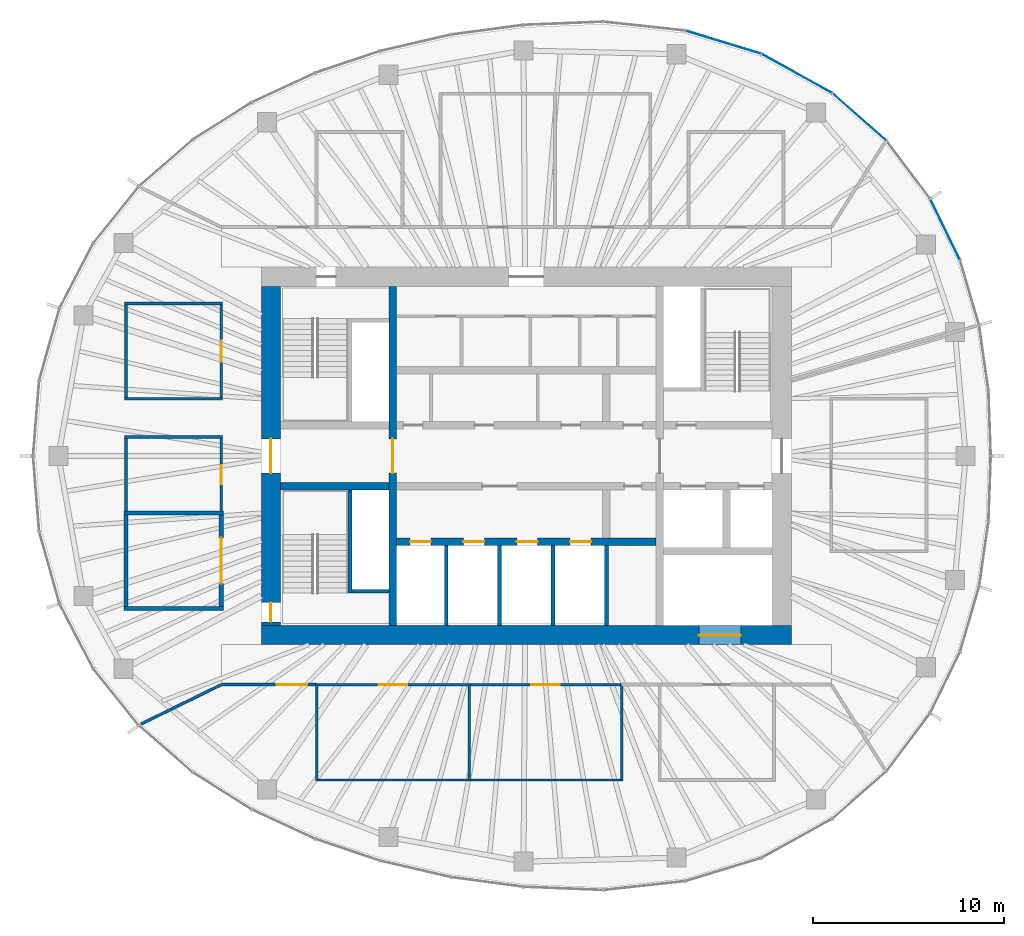
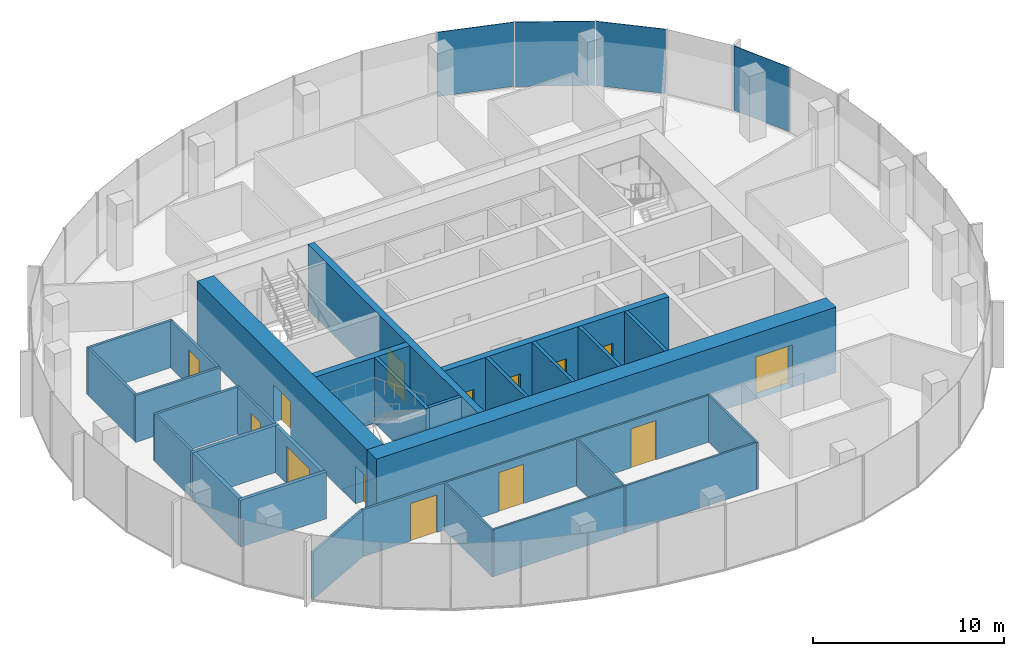
# One storey, part 8 of 11: 31 walls, 14 doors, 4 plates, 14 openings, 3 elements without a shape of their own.
"""IFC4 building model written with IfcOpenShell, lengths in metres."""

from ifc_helpers import new_model, si_unit, direction, frame, frame_2d, origin, origin_2d, place, context, subcontext, project, spatial, rectangle, extrude, material, layer, layer_set, type_object, element, fill, aggregate, save


model = new_model("IFC4")

# Units and contexts
model_context = context("Model", 3, precision=1e-05, world=origin(), true_north=direction((0.0, 1.0)))
body_context = subcontext(model_context, "Body", "Model", "MODEL_VIEW")
ifc_project = project(units=[si_unit("LENGTHUNIT", "METRE"), si_unit("AREAUNIT", "SQUARE_METRE"), si_unit("VOLUMEUNIT", "CUBIC_METRE"), si_unit("PLANEANGLEUNIT", "RADIAN"), si_unit("MASSUNIT", "GRAM", prefix="KILO")], contexts=[model_context])

# Site, building, storey
site_placement = place(None, origin())
site = spatial("IfcSite", under=ifc_project, at=site_placement, CompositionType="ELEMENT")
building_placement = place(site_placement, origin())
building = spatial("IfcBuilding", under=site, at=building_placement, Name="Ghaith Harvest Tower", CompositionType="ELEMENT")
storey_placement = place(building_placement, frame((0.0, 0.0, 313.199951171875)))
storey = spatial("IfcBuildingStorey", under=building, at=storey_placement, Name="L70", CompositionType="ELEMENT", Elevation=313.199951171875)

# Curtain wall, plate
ifc_material_1 = material(Name="Black anodised aluminium and fritted glass", Category="aluminium")
curtain_wall_type = type_object("IfcCurtainWallType", Name="CW-T CURTAIN WALL", PredefinedType="NOTDEFINED", material=ifc_material_1)
curtain_wall_1_placement = place(storey_placement, origin())
curtain_wall_1 = element("IfcCurtainWall", 1, at=curtain_wall_1_placement, inside=storey, type_object=curtain_wall_type, Name="Curtain wall CW-T bay 02 L70", PredefinedType="NOTDEFINED")
ifc_material_2 = material(Name="Glass, dark solar-control fritted double glazed unit", Category="glass")
ifc_layer_1 = layer(ifc_material_2, 0.033935546875)
ifc_layer_set_1 = layer_set([ifc_layer_1], Name="CW-T VISION PANEL")
plate_type = type_object("IfcPlateType", Name="CW-T VISION PANEL", PredefinedType="CURTAIN_PANEL", material=ifc_layer_set_1)
plate_1_placement = place(storey_placement, frame((21.9716796875, 11.878662109375, 0.080078125), z_axis=(0.0, 0.0, 1.0), x_axis=(-0.437968365148, 0.898990384337, 0.0)))
plate_1 = element("IfcPlate", 2, at=plate_1_placement, type_object=plate_type, Name="CW-T glass unit 2 bay 02 L70", PredefinedType="CURTAIN_PANEL", context=body_context, shape_type="SweptSolid", body=[
    extrude(rectangle(XDim=3.49365234375, YDim=0.033935546875, at=origin_2d()), origin(), (0.0, 0.0, 1.0), 4.1201171875),
])
aggregate(curtain_wall_1, [plate_1])

curtain_wall_2_placement = place(storey_placement, origin())
curtain_wall_2 = element("IfcCurtainWall", 3, at=curtain_wall_2_placement, inside=storey, type_object=curtain_wall_type, Name="Curtain wall CW-T bay 03 L70", PredefinedType="NOTDEFINED")
plate_2_placement = place(storey_placement, frame((17.47509765625, 17.779541015625, 0.080078125), z_axis=(0.0, 0.0, 1.0), x_axis=(-0.751334532416, 0.659921525941, 0.0)))
plate_2 = element("IfcPlate", 4, at=plate_2_placement, type_object=plate_type, Name="CW-T glass unit 2 bay 03 L70", PredefinedType="CURTAIN_PANEL", context=body_context, shape_type="SweptSolid", body=[
    extrude(rectangle(XDim=3.7158203125, YDim=0.033935546875, at=origin_2d()), origin(), (0.0, 0.0, 1.0), 4.1201171875),
])
aggregate(curtain_wall_2, [plate_2])

# Curtain wall, plates
curtain_wall_3_placement = place(storey_placement, origin())
curtain_wall_3 = element("IfcCurtainWall", 5, at=curtain_wall_3_placement, inside=storey, type_object=curtain_wall_type, Name="Curtain wall CW-T bay 04 L70", PredefinedType="NOTDEFINED")
plate_3_placement = place(storey_placement, frame((14.19189453125, 20.06201171875, 0.080078125), z_axis=(0.0, 0.0, 1.0), x_axis=(-0.87456402291, 0.484910063653, 0.0)))
plate_3 = element("IfcPlate", 6, at=plate_3_placement, type_object=plate_type, Name="CW-T glass unit 1 bay 04 L70", PredefinedType="CURTAIN_PANEL", context=body_context, shape_type="SweptSolid", body=[
    extrude(rectangle(XDim=4.167724609375, YDim=0.033935546875, at=origin_2d()), origin(), (0.0, 0.0, 1.0), 4.1201171875),
])
plate_4_placement = place(storey_placement, frame((10.337158203125, 21.700439453125, 0.080078125), z_axis=(0.0, 0.0, 1.0), x_axis=(-0.956587736124, 0.291444511181, 0.0)))
plate_4 = element("IfcPlate", 7, at=plate_4_placement, type_object=plate_type, Name="CW-T glass unit 2 bay 04 L70", PredefinedType="CURTAIN_PANEL", context=body_context, shape_type="SweptSolid", body=[
    extrude(rectangle(XDim=4.095703125, YDim=0.033935546875, at=origin_2d()), origin(), (0.0, 0.0, 1.0), 4.1201171875),
])
aggregate(curtain_wall_3, [plate_3, plate_4])

# Walls
ifc_material_3 = material(Name="Concrete blockwork, 1-hour", Category="masonry")
ifc_layer_2 = layer(ifc_material_3, 0.215087890625)
ifc_layer_set_2 = layer_set([ifc_layer_2], Name="BLOCKWORK WALL 215")
wall_type_1 = type_object("IfcWallType", Name="BLOCKWORK WALL 215", PredefinedType="PARTITIONING", material=ifc_layer_set_2)
for number, where, z_axis, x_axis, name in (
    (8, (-15.892578125, -8.0, 0.0), (0.0, 0.0, 1.0), (-1.0, 0.0, 0.0), "Partition L70 row W4 cross wall 1"),
    (9, (-15.892578125, -3.0, 0.0), (0.0, 0.0, 1.0), (-1.0, 0.0, 0.0), "Partition L70 row W4 cross wall 2"),
):
    element("IfcWall", number, at=place(storey_placement, frame(where, z_axis=z_axis, x_axis=x_axis)), inside=storey, type_object=wall_type_1, Name=name, PredefinedType="PARTITIONING", context=body_context, shape_type="SweptSolid", body=[
        extrude(rectangle(XDim=5.21484375, YDim=0.215087890625, at=frame_2d((2.607421875, 0.0))), origin(), (0.0, 0.0, 1.0), 3.0),
    ])

# Wall, opening, door
wall_1_placement = place(storey_placement, frame((-16.0, -7.892578125, 0.0), z_axis=(0.0, 0.0, 1.0), x_axis=(0.0, 1.0, 0.0)))
wall_1 = element("IfcWall", 10, at=wall_1_placement, inside=storey, type_object=wall_type_1, Name="Partition L70-06", PredefinedType="PARTITIONING", context=body_context, shape_type="SweptSolid", body=[
    extrude(rectangle(XDim=4.78515625, YDim=0.215087890625, at=frame_2d((2.392578125, 0.0))), origin(), (0.0, 0.0, 1.0), 3.0),
])
opening_1_placement = place(wall_1_placement, frame((1.1923828125, 0.0, 0.0)))
opening_1 = element("IfcOpeningElement", 11, at=opening_1_placement, cuts=wall_1, Name="Opening 70-032", PredefinedType="OPENING", context=body_context, shape_type="SweptSolid", body=[
    extrude(rectangle(XDim=2.39990234375, YDim=2.39990234375, at=frame_2d((1.199951171875, 1.199951171875))), frame((0.0, 0.11767578125, 0.0), z_axis=(0.0, -1.0, 0.0), x_axis=(1.0, 0.0, 0.0)), (0.0, 0.0, 1.0), 0.235107421875),
])
ifc_material_4 = material(Name="Timber door", Category="wood")
door_type_1 = type_object("IfcDoorType", Name="D10 PLANT PAIR 2400x2400", OperationType="DOUBLE_DOOR_SINGLE_SWING", PredefinedType="DOOR", material=ifc_material_4)
door_1_placement = place(opening_1_placement, origin())
door_1 = element("IfcDoor", 12, at=door_1_placement, inside=storey, type_object=door_type_1, Name="Pump room door", OperationType="DOUBLE_DOOR_SINGLE_SWING", OverallHeight=2.39990234375, OverallWidth=2.39990234375, PredefinedType="DOOR", context=body_context, shape_type="SweptSolid", body=[
    extrude(rectangle(XDim=2.39990234375, YDim=2.39990234375, at=frame_2d((1.199951171875, 1.199951171875))), frame((0.0, 0.02490234375, 0.0), z_axis=(0.0, -1.0, 0.0), x_axis=(1.0, 0.0, 0.0)), (0.0, 0.0, 1.0), 0.050048828125),
])
fill(opening_1, door_1)

# Wall
wall_2_placement = place(storey_placement, frame((-21.0, -7.892578125, 0.0), z_axis=(0.0, 0.0, 1.0), x_axis=(0.0, 1.0, 0.0)))
element("IfcWall", 13, at=wall_2_placement, inside=storey, type_object=wall_type_1, Name="Partition L70-06", PredefinedType="PARTITIONING", context=body_context, shape_type="SweptSolid", body=[
    extrude(rectangle(XDim=4.78515625, YDim=0.215087890625, at=frame_2d((2.392578125, 0.0))), origin(), (0.0, 0.0, 1.0), 3.0),
])

# Wall, opening, door
ifc_material_5 = material(Name="Concrete C50/60", Category="concrete")
ifc_layer_3 = layer(ifc_material_5, 1.0)
ifc_layer_set_3 = layer_set([ifc_layer_3], Name="CORE WALL CW1000")
wall_type_2 = type_object("IfcWallType", Name="CORE WALL CW1000", PredefinedType="SHEAR", material=ifc_layer_set_3)
wall_3_placement = place(storey_placement, frame((-13.89990234375, -9.39990234375, 0.0), z_axis=(0.0, 0.0, 1.0), x_axis=(1.0, 0.0, 0.0)))
wall_3 = element("IfcWall", 14, at=wall_3_placement, inside=storey, type_object=wall_type_2, Name="Core wall S L70", PredefinedType="SHEAR", context=body_context, shape_type="SweptSolid", body=[
    extrude(rectangle(XDim=27.7998046875, YDim=1.0, at=frame_2d((13.89990234375, 0.0))), origin(), (0.0, 0.0, 1.0), 4.199951171875),
])
opening_2_placement = place(wall_3_placement, frame((22.949951171875, 0.0, 0.0)))
opening_2 = element("IfcOpeningElement", 15, at=opening_2_placement, cuts=wall_3, Name="Opening 70-026", PredefinedType="OPENING", context=body_context, shape_type="SweptSolid", body=[
    extrude(rectangle(XDim=2.199951171875, YDim=2.699951171875, at=frame_2d((1.10009765625, 1.35009765625))), frame((0.0, 0.510009765625, 0.0), z_axis=(0.0, -1.0, 0.0), x_axis=(1.0, 0.0, 0.0)), (0.0, 0.0, 1.0), 1.02001953125),
])
ifc_material_6 = material(Name="Steel fire door", Category="steel")
door_type_2 = type_object("IfcDoorType", Name="LD3 LANDING 2200x2700", OperationType="DOUBLE_DOOR_SLIDING", PredefinedType="DOOR", material=ifc_material_6)
door_2_placement = place(opening_2_placement, origin())
door_2 = element("IfcDoor", 16, at=door_2_placement, inside=storey, type_object=door_type_2, Name="Landing door, goods lift GL1", OperationType="DOUBLE_DOOR_SLIDING", OverallHeight=2.699951171875, OverallWidth=2.199951171875, PredefinedType="DOOR", context=body_context, shape_type="SweptSolid", body=[
    extrude(rectangle(XDim=2.199951171875, YDim=2.699951171875, at=frame_2d((1.10009765625, 1.35009765625))), frame((0.0, 0.02490234375, 0.0), z_axis=(0.0, -1.0, 0.0), x_axis=(1.0, 0.0, 0.0)), (0.0, 0.0, 1.0), 0.050048828125),
])
fill(opening_2, door_2)

# Wall, openings, doors
wall_4_placement = place(storey_placement, frame((-13.39990234375, 8.89990234375, 0.0), z_axis=(0.0, 0.0, 1.0), x_axis=(0.0, -1.0, 0.0)))
wall_4 = element("IfcWall", 17, at=wall_4_placement, inside=storey, type_object=wall_type_2, Name="Core wall W L70", PredefinedType="SHEAR", context=body_context, shape_type="SweptSolid", body=[
    extrude(rectangle(XDim=17.7998046875, YDim=1.0, at=frame_2d((8.89990234375, 0.0))), origin(), (0.0, 0.0, 1.0), 4.199951171875),
])
opening_3_placement = place(wall_4_placement, frame((8.0, 0.0, 0.0)))
opening_3 = element("IfcOpeningElement", 18, at=opening_3_placement, cuts=wall_4, Name="Opening 70-001", PredefinedType="OPENING", context=body_context, shape_type="SweptSolid", body=[
    extrude(rectangle(XDim=1.800048828125, YDim=2.39990234375, at=frame_2d((0.89990234375, 1.199951171875))), frame((0.0, 0.510009765625, 0.0), z_axis=(0.0, -1.0, 0.0), x_axis=(1.0, 0.0, 0.0)), (0.0, 0.0, 1.0), 1.02001953125),
])
opening_4_placement = place(wall_4_placement, frame((16.60009765625, 0.0, 0.0)))
opening_4 = element("IfcOpeningElement", 19, at=opening_4_placement, cuts=wall_4, Name="Opening 70-006", PredefinedType="OPENING", context=body_context, shape_type="SweptSolid", body=[
    extrude(rectangle(XDim=1.0, YDim=2.39990234375, at=frame_2d((0.5, 1.199951171875))), frame((0.0, 0.510009765625, 0.0), z_axis=(0.0, -1.0, 0.0), x_axis=(1.0, 0.0, 0.0)), (0.0, 0.0, 1.0), 1.02001953125),
])
ifc_material_7 = material(Name="Steel fire door", Category="steel")
door_type_3 = type_object("IfcDoorType", Name="D3 FD90 1000x2400", OperationType="SINGLE_SWING_LEFT", PredefinedType="DOOR", material=ifc_material_7)
door_3_placement = place(opening_4_placement, origin())
door_3 = element("IfcDoor", 20, at=door_3_placement, inside=storey, type_object=door_type_3, Name="Stair ST3 door", OperationType="SINGLE_SWING_RIGHT", OverallHeight=2.39990234375, OverallWidth=1.0, PredefinedType="DOOR", context=body_context, shape_type="SweptSolid", body=[
    extrude(rectangle(XDim=1.0, YDim=2.39990234375, at=frame_2d((0.5, 1.199951171875))), frame((0.0, 0.02490234375, 0.0), z_axis=(0.0, -1.0, 0.0), x_axis=(1.0, 0.0, 0.0)), (0.0, 0.0, 1.0), 0.050048828125),
])
fill(opening_4, door_3)
ifc_material_8 = material(Name="Steel fire door", Category="steel")
door_type_4 = type_object("IfcDoorType", Name="D4 FD90 PAIR 1800x2400", OperationType="DOUBLE_DOOR_SINGLE_SWING", PredefinedType="DOOR", material=ifc_material_8)
door_4_placement = place(opening_3_placement, origin())
door_4 = element("IfcDoor", 21, at=door_4_placement, inside=storey, type_object=door_type_4, Name="West lobby doors", OperationType="DOUBLE_DOOR_SINGLE_SWING", OverallHeight=2.39990234375, OverallWidth=1.800048828125, PredefinedType="DOOR", context=body_context, shape_type="SweptSolid", body=[
    extrude(rectangle(XDim=1.800048828125, YDim=2.39990234375, at=frame_2d((0.89990234375, 1.199951171875))), frame((0.0, 0.02490234375, 0.0), z_axis=(0.0, -1.0, 0.0), x_axis=(1.0, 0.0, 0.0)), (0.0, 0.0, 1.0), 0.050048828125),
])
fill(opening_3, door_4)

# Walls
ifc_material_9 = material(Name="Insulated food-grade panel", Category="steel")
ifc_layer_4 = layer(ifc_material_9, 0.1201171875)
ifc_layer_set_4 = layer_set([ifc_layer_4], Name="INSULATED PANEL WALL 120")
wall_type_3 = type_object("IfcWallType", Name="INSULATED PANEL WALL 120", PredefinedType="PARTITIONING", material=ifc_layer_set_4)
for number, where, z_axis, x_axis, name in (
    (22, (-11.0, -11.93994140625, 0.0), (0.0, 0.0, 1.0), (0.0, -1.0, 0.0), "Partition L70 row S2 cross wall 1"),
    (23, (-3.0, -11.93994140625, 0.0), (0.0, 0.0, 1.0), (0.0, -1.0, 0.0), "Partition L70 row S2 cross wall 2"),
    (24, (5.0, -11.93994140625, 0.0), (0.0, 0.0, 1.0), (0.0, -1.0, 0.0), "Partition L70 row S2 cross wall 3"),
):
    element("IfcWall", number, at=place(storey_placement, frame(where, z_axis=z_axis, x_axis=x_axis)), inside=storey, type_object=wall_type_3, Name=name, PredefinedType="PARTITIONING", context=body_context, shape_type="SweptSolid", body=[
        extrude(rectangle(XDim=5.1201171875, YDim=0.1201171875, at=frame_2d((2.56005859375, 0.0))), origin(), (0.0, 0.0, 1.0), 3.0),
    ])

# Wall, opening, door
wall_5_placement = place(storey_placement, frame((-10.93994140625, -12.0, 0.0), z_axis=(0.0, 0.0, 1.0), x_axis=(1.0, 0.0, 0.0)))
wall_5 = element("IfcWall", 25, at=wall_5_placement, inside=storey, type_object=wall_type_3, Name="Partition L70-03", PredefinedType="PARTITIONING", context=body_context, shape_type="SweptSolid", body=[
    extrude(rectangle(XDim=7.8798828125, YDim=0.1201171875, at=frame_2d((3.93994140625, 0.0))), origin(), (0.0, 0.0, 1.0), 3.0),
])
opening_5_placement = place(wall_5_placement, frame((3.18994140625, 0.0, 0.0)))
opening_5 = element("IfcOpeningElement", 26, at=opening_5_placement, cuts=wall_5, Name="Opening 70-029", PredefinedType="OPENING", context=body_context, shape_type="SweptSolid", body=[
    extrude(rectangle(XDim=1.5, YDim=2.5, at=frame_2d((0.75, 1.25))), frame((0.0, 0.070068359375, 0.0), z_axis=(0.0, -1.0, 0.0), x_axis=(1.0, 0.0, 0.0)), (0.0, 0.0, 1.0), 0.14013671875),
])
ifc_material_10 = material(Name="Insulated steel sliding door", Category="steel")
door_type_5 = type_object("IfcDoorType", Name="D13 COLD STORE SLIDING 1500x2500", OperationType="SLIDING_TO_LEFT", PredefinedType="DOOR", material=ifc_material_10)
door_5_placement = place(opening_5_placement, origin())
door_5 = element("IfcDoor", 27, at=door_5_placement, inside=storey, type_object=door_type_5, Name="Berry growing room door", OperationType="SLIDING_TO_LEFT", OverallHeight=2.5, OverallWidth=1.5, PredefinedType="DOOR", context=body_context, shape_type="SweptSolid", body=[
    extrude(rectangle(XDim=1.5, YDim=2.5, at=frame_2d((0.75, 1.25))), frame((0.0, 0.02490234375, 0.0), z_axis=(0.0, -1.0, 0.0), x_axis=(1.0, 0.0, 0.0)), (0.0, 0.0, 1.0), 0.050048828125),
])
fill(opening_5, door_5)

# Wall
wall_6_placement = place(storey_placement, frame((-10.93994140625, -17.0, 0.0), z_axis=(0.0, 0.0, 1.0), x_axis=(1.0, 0.0, 0.0)))
element("IfcWall", 28, at=wall_6_placement, inside=storey, type_object=wall_type_3, Name="Partition L70-03", PredefinedType="PARTITIONING", context=body_context, shape_type="SweptSolid", body=[
    extrude(rectangle(XDim=7.8798828125, YDim=0.1201171875, at=frame_2d((3.93994140625, 0.0))), origin(), (0.0, 0.0, 1.0), 3.0),
])

# Wall, opening, door
wall_7_placement = place(storey_placement, frame((-2.93994140625, -12.0, 0.0), z_axis=(0.0, 0.0, 1.0), x_axis=(1.0, 0.0, 0.0)))
wall_7 = element("IfcWall", 29, at=wall_7_placement, inside=storey, type_object=wall_type_3, Name="Partition L70-04", PredefinedType="PARTITIONING", context=body_context, shape_type="SweptSolid", body=[
    extrude(rectangle(XDim=7.8798828125, YDim=0.1201171875, at=frame_2d((3.93994140625, 0.0))), origin(), (0.0, 0.0, 1.0), 3.0),
])
opening_6_placement = place(wall_7_placement, frame((3.18994140625, 0.0, 0.0)))
opening_6 = element("IfcOpeningElement", 30, at=opening_6_placement, cuts=wall_7, Name="Opening 70-030", PredefinedType="OPENING", context=body_context, shape_type="SweptSolid", body=[
    extrude(rectangle(XDim=1.5, YDim=2.5, at=frame_2d((0.75, 1.25))), frame((0.0, 0.070068359375, 0.0), z_axis=(0.0, -1.0, 0.0), x_axis=(1.0, 0.0, 0.0)), (0.0, 0.0, 1.0), 0.14013671875),
])
door_6_placement = place(opening_6_placement, origin())
door_6 = element("IfcDoor", 31, at=door_6_placement, inside=storey, type_object=door_type_5, Name="Berry growing room door", OperationType="SLIDING_TO_LEFT", OverallHeight=2.5, OverallWidth=1.5, PredefinedType="DOOR", context=body_context, shape_type="SweptSolid", body=[
    extrude(rectangle(XDim=1.5, YDim=2.5, at=frame_2d((0.75, 1.25))), frame((0.0, 0.02490234375, 0.0), z_axis=(0.0, -1.0, 0.0), x_axis=(1.0, 0.0, 0.0)), (0.0, 0.0, 1.0), 0.050048828125),
])
fill(opening_6, door_6)

# Walls
wall_8_placement = place(storey_placement, frame((-2.93994140625, -17.0, 0.0), z_axis=(0.0, 0.0, 1.0), x_axis=(1.0, 0.0, 0.0)))
element("IfcWall", 32, at=wall_8_placement, inside=storey, type_object=wall_type_3, Name="Partition L70-04", PredefinedType="PARTITIONING", context=body_context, shape_type="SweptSolid", body=[
    extrude(rectangle(XDim=7.8798828125, YDim=0.1201171875, at=frame_2d((3.93994140625, 0.0))), origin(), (0.0, 0.0, 1.0), 3.0),
])
ifc_material_11 = material(Name="Concrete blockwork, 2-hour", Category="masonry")
ifc_layer_5 = layer(ifc_material_11, 0.199951171875)
ifc_layer_set_5 = layer_set([ifc_layer_5], Name="LIFT SHAFT WALL 200")
wall_type_4 = type_object("IfcWallType", Name="LIFT SHAFT WALL 200", PredefinedType="PARTITIONING", material=ifc_layer_set_5)
for number, where, z_axis, x_axis, name in (
    (33, (-4.199951171875, -4.699951171875, 0.0), (0.0, 0.0, 1.0), (0.0, -1.0, 0.0), "Lift shaft wall L70"),
    (34, (-1.39990234375, -4.699951171875, 0.0), (0.0, 0.0, 1.0), (0.0, -1.0, 0.0), "Lift shaft wall L70"),
    (35, (1.39990234375, -4.699951171875, 0.0), (0.0, 0.0, 1.0), (0.0, -1.0, 0.0), "Lift shaft wall L70"),
    (36, (4.199951171875, -4.699951171875, 0.0), (0.0, 0.0, 1.0), (0.0, -1.0, 0.0), "Lift shaft wall L70"),
):
    element("IfcWall", number, at=place(storey_placement, frame(where, z_axis=z_axis, x_axis=x_axis)), inside=storey, type_object=wall_type_4, Name=name, PredefinedType="PARTITIONING", context=body_context, shape_type="SweptSolid", body=[
        extrude(rectangle(XDim=4.199951171875, YDim=0.199951171875, at=frame_2d((2.10009765625, 0.0))), origin(), (0.0, 0.0, 1.0), 4.199951171875),
    ])
ifc_material_12 = material(Name="Gypsum board on steel studs", Category="steel")
ifc_layer_6 = layer(ifc_material_12, 0.14990234375)
ifc_layer_set_6 = layer_set([ifc_layer_6], Name="PARTITION 150")
wall_type_5 = type_object("IfcWallType", Name="PARTITION 150", PredefinedType="PARTITIONING", material=ifc_layer_set_6)
wall_9_placement = place(storey_placement, frame((-15.925048828125, 1.0, 0.0), z_axis=(0.0, 0.0, 1.0), x_axis=(-1.0, 0.0, 0.0)))
element("IfcWall", 37, at=wall_9_placement, inside=storey, type_object=wall_type_5, Name="Partition L70 row W4 cross wall 3", PredefinedType="PARTITIONING", context=body_context, shape_type="SweptSolid", body=[
    extrude(rectangle(XDim=5.14990234375, YDim=0.14990234375, at=frame_2d((2.574951171875, 0.0))), origin(), (0.0, 0.0, 1.0), 3.0),
])

# Wall, opening, door
wall_10_placement = place(storey_placement, frame((-16.0, -2.892578125, 0.0), z_axis=(0.0, 0.0, 1.0), x_axis=(0.0, 1.0, 0.0)))
wall_10 = element("IfcWall", 38, at=wall_10_placement, inside=storey, type_object=wall_type_5, Name="Partition L70-07", PredefinedType="PARTITIONING", context=body_context, shape_type="SweptSolid", body=[
    extrude(rectangle(XDim=3.817626953125, YDim=0.14990234375, at=frame_2d((1.90869140625, 0.0))), origin(), (0.0, 0.0, 1.0), 3.0),
])
opening_7_placement = place(wall_10_placement, frame((1.40869140625, 0.0, 0.0)))
opening_7 = element("IfcOpeningElement", 39, at=opening_7_placement, cuts=wall_10, Name="Opening 70-033", PredefinedType="OPENING", context=body_context, shape_type="SweptSolid", body=[
    extrude(rectangle(XDim=1.0, YDim=2.199951171875, at=frame_2d((0.5, 1.10009765625))), frame((0.0, 0.0849609375, 0.0), z_axis=(0.0, -1.0, 0.0), x_axis=(1.0, 0.0, 0.0)), (0.0, 0.0, 1.0), 0.169921875),
])
ifc_material_13 = material(Name="Timber door", Category="wood")
door_type_6 = type_object("IfcDoorType", Name="D1 SINGLE 1000x2200", OperationType="SINGLE_SWING_LEFT", PredefinedType="DOOR", material=ifc_material_13)
door_7_placement = place(opening_7_placement, origin())
door_7 = element("IfcDoor", 40, at=door_7_placement, inside=storey, type_object=door_type_6, Name="Store door", OperationType="SINGLE_SWING_LEFT", OverallHeight=2.199951171875, OverallWidth=1.0, PredefinedType="DOOR", context=body_context, shape_type="SweptSolid", body=[
    extrude(rectangle(XDim=1.0, YDim=2.199951171875, at=frame_2d((0.5, 1.10009765625))), frame((0.0, 0.02490234375, 0.0), z_axis=(0.0, -1.0, 0.0), x_axis=(1.0, 0.0, 0.0)), (0.0, 0.0, 1.0), 0.050048828125),
])
fill(opening_7, door_7)

# Walls
wall_11_placement = place(storey_placement, frame((-21.0, -2.892578125, 0.0), z_axis=(0.0, 0.0, 1.0), x_axis=(0.0, 1.0, 0.0)))
element("IfcWall", 41, at=wall_11_placement, inside=storey, type_object=wall_type_5, Name="Partition L70-07", PredefinedType="PARTITIONING", context=body_context, shape_type="SweptSolid", body=[
    extrude(rectangle(XDim=3.817626953125, YDim=0.14990234375, at=frame_2d((1.90869140625, 0.0))), origin(), (0.0, 0.0, 1.0), 3.0),
])
for number, where, z_axis, x_axis, name in (
    (42, (-15.925048828125, 3.0, 0.0), (0.0, 0.0, 1.0), (-1.0, 0.0, 0.0), "Partition L70 row W8 cross wall 1"),
    (43, (-15.925048828125, 8.0, 0.0), (0.0, 0.0, 1.0), (-1.0, 0.0, 0.0), "Partition L70 row W8 cross wall 2"),
):
    element("IfcWall", number, at=place(storey_placement, frame(where, z_axis=z_axis, x_axis=x_axis)), inside=storey, type_object=wall_type_5, Name=name, PredefinedType="PARTITIONING", context=body_context, shape_type="SweptSolid", body=[
        extrude(rectangle(XDim=5.14990234375, YDim=0.14990234375, at=frame_2d((2.574951171875, 0.0))), origin(), (0.0, 0.0, 1.0), 3.0),
    ])

# Wall, opening, door
wall_12_placement = place(storey_placement, frame((-16.0, 3.074951171875, 0.0), z_axis=(0.0, 0.0, 1.0), x_axis=(0.0, 1.0, 0.0)))
wall_12 = element("IfcWall", 44, at=wall_12_placement, inside=storey, type_object=wall_type_5, Name="Partition L70-11", PredefinedType="PARTITIONING", context=body_context, shape_type="SweptSolid", body=[
    extrude(rectangle(XDim=4.85009765625, YDim=0.14990234375, at=frame_2d((2.425048828125, 0.0))), origin(), (0.0, 0.0, 1.0), 3.0),
])
opening_8_placement = place(wall_12_placement, frame((1.875, 0.0, 0.0)))
opening_8 = element("IfcOpeningElement", 45, at=opening_8_placement, cuts=wall_12, Name="Opening 70-037", PredefinedType="OPENING", context=body_context, shape_type="SweptSolid", body=[
    extrude(rectangle(XDim=1.10009765625, YDim=2.300048828125, at=frame_2d((0.550048828125, 1.14990234375))), frame((0.0, 0.0849609375, 0.0), z_axis=(0.0, -1.0, 0.0), x_axis=(1.0, 0.0, 0.0)), (0.0, 0.0, 1.0), 0.169921875),
])
ifc_material_14 = material(Name="Timber-framed glazed door", Category="wood")
door_type_7 = type_object("IfcDoorType", Name="D12 GLAZED OFFICE 1100x2300", OperationType="SINGLE_SWING_LEFT", PredefinedType="DOOR", material=ifc_material_14)
door_8_placement = place(opening_8_placement, origin())
door_8 = element("IfcDoor", 46, at=door_8_placement, inside=storey, type_object=door_type_7, Name="Office door", OperationType="SINGLE_SWING_LEFT", OverallHeight=2.300048828125, OverallWidth=1.10009765625, PredefinedType="DOOR", context=body_context, shape_type="SweptSolid", body=[
    extrude(rectangle(XDim=1.10009765625, YDim=2.300048828125, at=frame_2d((0.550048828125, 1.14990234375))), frame((0.0, 0.02490234375, 0.0), z_axis=(0.0, -1.0, 0.0), x_axis=(1.0, 0.0, 0.0)), (0.0, 0.0, 1.0), 0.050048828125),
])
fill(opening_8, door_8)

# Walls
wall_13_placement = place(storey_placement, frame((-21.0, 3.074951171875, 0.0), z_axis=(0.0, 0.0, 1.0), x_axis=(0.0, 1.0, 0.0)))
element("IfcWall", 47, at=wall_13_placement, inside=storey, type_object=wall_type_5, Name="Partition L70-11", PredefinedType="PARTITIONING", context=body_context, shape_type="SweptSolid", body=[
    extrude(rectangle(XDim=4.85009765625, YDim=0.14990234375, at=frame_2d((2.425048828125, 0.0))), origin(), (0.0, 0.0, 1.0), 3.0),
])
wall_14_placement = place(storey_placement, frame((-16.017822265625, -12.0087890625, 0.0), z_axis=(0.0, 0.0, 1.0), x_axis=(-0.897771840996, -0.440460805879, 0.0)))
element("IfcWall", 48, at=wall_14_placement, inside=storey, type_object=wall_type_5, Name="Partition L70 zone division", PredefinedType="PARTITIONING", context=body_context, shape_type="SweptSolid", body=[
    extrude(rectangle(XDim=4.66552734375, YDim=0.14990234375, at=frame_2d((2.332763671875, 0.0))), origin(), (0.0, 0.0, 1.0), 3.0),
])

# Wall, opening, door
wall_15_placement = place(storey_placement, frame((-16.0, -12.0, 0.0), z_axis=(0.0, 0.0, 1.0), x_axis=(1.0, 0.0, 0.0)))
wall_15 = element("IfcWall", 49, at=wall_15_placement, inside=storey, type_object=wall_type_5, Name="Partition L70 zone enclosure", PredefinedType="PARTITIONING", context=body_context, shape_type="SweptSolid", body=[
    extrude(rectangle(XDim=5.0, YDim=0.14990234375, at=frame_2d((2.5, 0.0))), origin(), (0.0, 0.0, 1.0), 3.0),
])
opening_9_placement = place(wall_15_placement, frame((2.89990234375, 0.0, 0.0)))
opening_9 = element("IfcOpeningElement", 50, at=opening_9_placement, cuts=wall_15, Name="Opening 70-039", PredefinedType="OPENING", context=body_context, shape_type="SweptSolid", body=[
    extrude(rectangle(XDim=1.60009765625, YDim=2.39990234375, at=frame_2d((0.800048828125, 1.199951171875))), frame((0.0, 0.0849609375, 0.0), z_axis=(0.0, -1.0, 0.0), x_axis=(1.0, 0.0, 0.0)), (0.0, 0.0, 1.0), 0.169921875),
])
ifc_material_15 = material(Name="Timber door", Category="wood")
door_type_8 = type_object("IfcDoorType", Name="D2 PAIR 1600x2400", OperationType="DOUBLE_DOOR_SINGLE_SWING", PredefinedType="DOOR", material=ifc_material_15)
door_9_placement = place(opening_9_placement, origin())
door_9 = element("IfcDoor", 51, at=door_9_placement, inside=storey, type_object=door_type_8, Name="Berry growing area south door", OperationType="DOUBLE_DOOR_SINGLE_SWING", OverallHeight=2.39990234375, OverallWidth=1.60009765625, PredefinedType="DOOR", context=body_context, shape_type="SweptSolid", body=[
    extrude(rectangle(XDim=1.60009765625, YDim=2.39990234375, at=frame_2d((0.800048828125, 1.199951171875))), frame((0.0, 0.02490234375, 0.0), z_axis=(0.0, -1.0, 0.0), x_axis=(1.0, 0.0, 0.0)), (0.0, 0.0, 1.0), 0.050048828125),
])
fill(opening_9, door_9)

ifc_material_16 = material(Name="Concrete C70/85", Category="concrete")
ifc_layer_7 = layer(ifc_material_16, 0.39990234375)
ifc_layer_set_7 = layer_set([ifc_layer_7], Name="SHAFT WALL 400")
wall_type_6 = type_object("IfcWallType", Name="SHAFT WALL 400", PredefinedType="SHEAR", material=ifc_layer_set_7)
wall_16_placement = place(storey_placement, frame((-7.0, -8.89990234375, 0.0), z_axis=(0.0, 0.0, 1.0), x_axis=(0.0, 1.0, 0.0)))
wall_16 = element("IfcWall", 52, at=wall_16_placement, inside=storey, type_object=wall_type_6, Name="Shaft wall W7W L70", PredefinedType="SHEAR", context=body_context, shape_type="SweptSolid", body=[
    extrude(rectangle(XDim=17.7998046875, YDim=0.39990234375, at=frame_2d((8.89990234375, 0.0))), origin(), (0.0, 0.0, 1.0), 4.199951171875),
])
opening_10_placement = place(wall_16_placement, frame((8.0, 0.0, 0.0)))
opening_10 = element("IfcOpeningElement", 53, at=opening_10_placement, cuts=wall_16, Name="Opening 70-003", PredefinedType="OPENING", context=body_context, shape_type="SweptSolid", body=[
    extrude(rectangle(XDim=1.800048828125, YDim=2.39990234375, at=frame_2d((0.89990234375, 1.199951171875))), frame((0.0, 0.2099609375, 0.0), z_axis=(0.0, -1.0, 0.0), x_axis=(1.0, 0.0, 0.0)), (0.0, 0.0, 1.0), 0.419921875),
])
door_10_placement = place(opening_10_placement, origin())
door_10 = element("IfcDoor", 54, at=door_10_placement, inside=storey, type_object=door_type_4, Name="Lift lobby doors, west", OperationType="DOUBLE_DOOR_SINGLE_SWING", OverallHeight=2.39990234375, OverallWidth=1.800048828125, PredefinedType="DOOR", context=body_context, shape_type="SweptSolid", body=[
    extrude(rectangle(XDim=1.800048828125, YDim=2.39990234375, at=frame_2d((0.89990234375, 1.199951171875))), frame((0.0, 0.02490234375, 0.0), z_axis=(0.0, -1.0, 0.0), x_axis=(1.0, 0.0, 0.0)), (0.0, 0.0, 1.0), 0.050048828125),
])
fill(opening_10, door_10)

# Wall, openings, doors
wall_17_placement = place(storey_placement, frame((-6.800048828125, -4.5, 0.0), z_axis=(0.0, 0.0, 1.0), x_axis=(1.0, 0.0, 0.0)))
wall_17 = element("IfcWall", 55, at=wall_17_placement, inside=storey, type_object=wall_type_6, Name="Shaft wall BS L70", PredefinedType="SHEAR", context=body_context, shape_type="SweptSolid", body=[
    extrude(rectangle(XDim=13.60009765625, YDim=0.39990234375, at=frame_2d((6.800048828125, 0.0))), origin(), (0.0, 0.0, 1.0), 4.199951171875),
])
opening_11_placement = place(wall_17_placement, frame((0.699951171875, 0.0, 0.0)))
opening_11 = element("IfcOpeningElement", 56, at=opening_11_placement, cuts=wall_17, Name="Opening 70-020", PredefinedType="OPENING", context=body_context, shape_type="SweptSolid", body=[
    extrude(rectangle(XDim=1.10009765625, YDim=2.39990234375, at=frame_2d((0.550048828125, 1.199951171875))), frame((0.0, 0.2099609375, 0.0), z_axis=(0.0, -1.0, 0.0), x_axis=(1.0, 0.0, 0.0)), (0.0, 0.0, 1.0), 0.419921875),
])
opening_12_placement = place(wall_17_placement, frame((3.5, 0.0, 0.0)))
opening_12 = element("IfcOpeningElement", 57, at=opening_12_placement, cuts=wall_17, Name="Opening 70-021", PredefinedType="OPENING", context=body_context, shape_type="SweptSolid", body=[
    extrude(rectangle(XDim=1.10009765625, YDim=2.39990234375, at=frame_2d((0.550048828125, 1.199951171875))), frame((0.0, 0.2099609375, 0.0), z_axis=(0.0, -1.0, 0.0), x_axis=(1.0, 0.0, 0.0)), (0.0, 0.0, 1.0), 0.419921875),
])
opening_13_placement = place(wall_17_placement, frame((6.300048828125, 0.0, 0.0)))
opening_13 = element("IfcOpeningElement", 58, at=opening_13_placement, cuts=wall_17, Name="Opening 70-022", PredefinedType="OPENING", context=body_context, shape_type="SweptSolid", body=[
    extrude(rectangle(XDim=1.10009765625, YDim=2.39990234375, at=frame_2d((0.550048828125, 1.199951171875))), frame((0.0, 0.2099609375, 0.0), z_axis=(0.0, -1.0, 0.0), x_axis=(1.0, 0.0, 0.0)), (0.0, 0.0, 1.0), 0.419921875),
])
opening_14_placement = place(wall_17_placement, frame((9.10009765625, 0.0, 0.0)))
opening_14 = element("IfcOpeningElement", 59, at=opening_14_placement, cuts=wall_17, Name="Opening 70-023", PredefinedType="OPENING", context=body_context, shape_type="SweptSolid", body=[
    extrude(rectangle(XDim=1.10009765625, YDim=2.39990234375, at=frame_2d((0.550048828125, 1.199951171875))), frame((0.0, 0.2099609375, 0.0), z_axis=(0.0, -1.0, 0.0), x_axis=(1.0, 0.0, 0.0)), (0.0, 0.0, 1.0), 0.419921875),
])
ifc_material_17 = material(Name="Steel fire door", Category="steel")
door_type_9 = type_object("IfcDoorType", Name="LD1 LANDING 1100x2400", OperationType="DOUBLE_DOOR_SLIDING", PredefinedType="DOOR", material=ifc_material_17)
door_11_placement = place(opening_11_placement, origin())
door_11 = element("IfcDoor", 60, at=door_11_placement, inside=storey, type_object=door_type_9, Name="Landing door, lift TR1", OperationType="DOUBLE_DOOR_SLIDING", OverallHeight=2.39990234375, OverallWidth=1.10009765625, PredefinedType="DOOR", context=body_context, shape_type="SweptSolid", body=[
    extrude(rectangle(XDim=1.10009765625, YDim=2.39990234375, at=frame_2d((0.550048828125, 1.199951171875))), frame((0.0, 0.02490234375, 0.0), z_axis=(0.0, -1.0, 0.0), x_axis=(1.0, 0.0, 0.0)), (0.0, 0.0, 1.0), 0.050048828125),
])
fill(opening_11, door_11)
door_12_placement = place(opening_12_placement, origin())
door_12 = element("IfcDoor", 61, at=door_12_placement, inside=storey, type_object=door_type_9, Name="Landing door, lift TR2", OperationType="DOUBLE_DOOR_SLIDING", OverallHeight=2.39990234375, OverallWidth=1.10009765625, PredefinedType="DOOR", context=body_context, shape_type="SweptSolid", body=[
    extrude(rectangle(XDim=1.10009765625, YDim=2.39990234375, at=frame_2d((0.550048828125, 1.199951171875))), frame((0.0, 0.02490234375, 0.0), z_axis=(0.0, -1.0, 0.0), x_axis=(1.0, 0.0, 0.0)), (0.0, 0.0, 1.0), 0.050048828125),
])
fill(opening_12, door_12)
door_13_placement = place(opening_13_placement, origin())
door_13 = element("IfcDoor", 62, at=door_13_placement, inside=storey, type_object=door_type_9, Name="Landing door, lift TR3", OperationType="DOUBLE_DOOR_SLIDING", OverallHeight=2.39990234375, OverallWidth=1.10009765625, PredefinedType="DOOR", context=body_context, shape_type="SweptSolid", body=[
    extrude(rectangle(XDim=1.10009765625, YDim=2.39990234375, at=frame_2d((0.550048828125, 1.199951171875))), frame((0.0, 0.02490234375, 0.0), z_axis=(0.0, -1.0, 0.0), x_axis=(1.0, 0.0, 0.0)), (0.0, 0.0, 1.0), 0.050048828125),
])
fill(opening_13, door_13)
door_14_placement = place(opening_14_placement, origin())
door_14 = element("IfcDoor", 63, at=door_14_placement, inside=storey, type_object=door_type_9, Name="Landing door, lift TR4", OperationType="DOUBLE_DOOR_SLIDING", OverallHeight=2.39990234375, OverallWidth=1.10009765625, PredefinedType="DOOR", context=body_context, shape_type="SweptSolid", body=[
    extrude(rectangle(XDim=1.10009765625, YDim=2.39990234375, at=frame_2d((0.550048828125, 1.199951171875))), frame((0.0, 0.02490234375, 0.0), z_axis=(0.0, -1.0, 0.0), x_axis=(1.0, 0.0, 0.0)), (0.0, 0.0, 1.0), 0.050048828125),
])
fill(opening_14, door_14)

# Walls
wall_18_placement = place(storey_placement, frame((-12.89990234375, -1.60009765625, 0.0), z_axis=(0.0, 0.0, 1.0), x_axis=(1.0, 0.0, 0.0)))
element("IfcWall", 64, at=wall_18_placement, inside=storey, type_object=wall_type_6, Name="Shaft wall WS L70", PredefinedType="SHEAR", context=body_context, shape_type="SweptSolid", body=[
    extrude(rectangle(XDim=5.699951171875, YDim=0.39990234375, at=frame_2d((2.85009765625, 0.0))), origin(), (0.0, 0.0, 1.0), 4.199951171875),
])
ifc_material_18 = material(Name="Concrete C40/50", Category="concrete")
ifc_layer_8 = layer(ifc_material_18, 0.199951171875)
ifc_layer_set_8 = layer_set([ifc_layer_8], Name="STAIR SPINE WALL RC200")
wall_type_7 = type_object("IfcWallType", Name="STAIR SPINE WALL RC200", PredefinedType="SOLIDWALL", material=ifc_layer_set_8)
wall_19_placement = place(storey_placement, frame((-9.25, -7.199951171875, 0.0), z_axis=(0.0, 0.0, 1.0), x_axis=(0.0, 1.0, 0.0)))
element("IfcWall", 65, at=wall_19_placement, inside=storey, type_object=wall_type_7, Name="Stair ST3 spine wall L70", PredefinedType="SOLIDWALL", context=body_context, shape_type="SweptSolid", body=[
    extrude(rectangle(XDim=5.39990234375, YDim=0.199951171875, at=frame_2d((2.699951171875, 0.0))), origin(), (0.0, 0.0, 1.0), 4.199951171875),
])
wall_20_placement = place(storey_placement, frame((-9.14990234375, -7.10009765625, 0.0), z_axis=(0.0, 0.0, 1.0), x_axis=(1.0, 0.0, 0.0)))
element("IfcWall", 66, at=wall_20_placement, inside=storey, type_object=wall_type_7, Name="Stair ST3 spine wall return L70", PredefinedType="SOLIDWALL", context=body_context, shape_type="SweptSolid", body=[
    extrude(rectangle(XDim=1.949951171875, YDim=0.199951171875, at=frame_2d((0.97509765625, 0.0))), origin(), (0.0, 0.0, 1.0), 4.199951171875),
])

save(model, "model.ifc")
